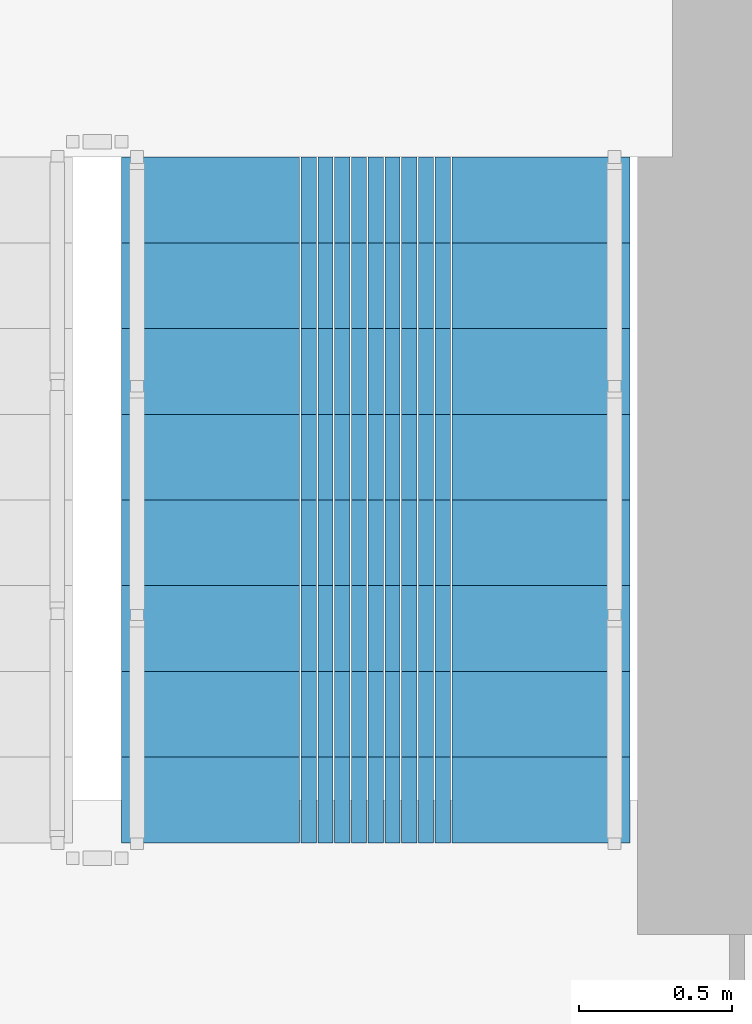
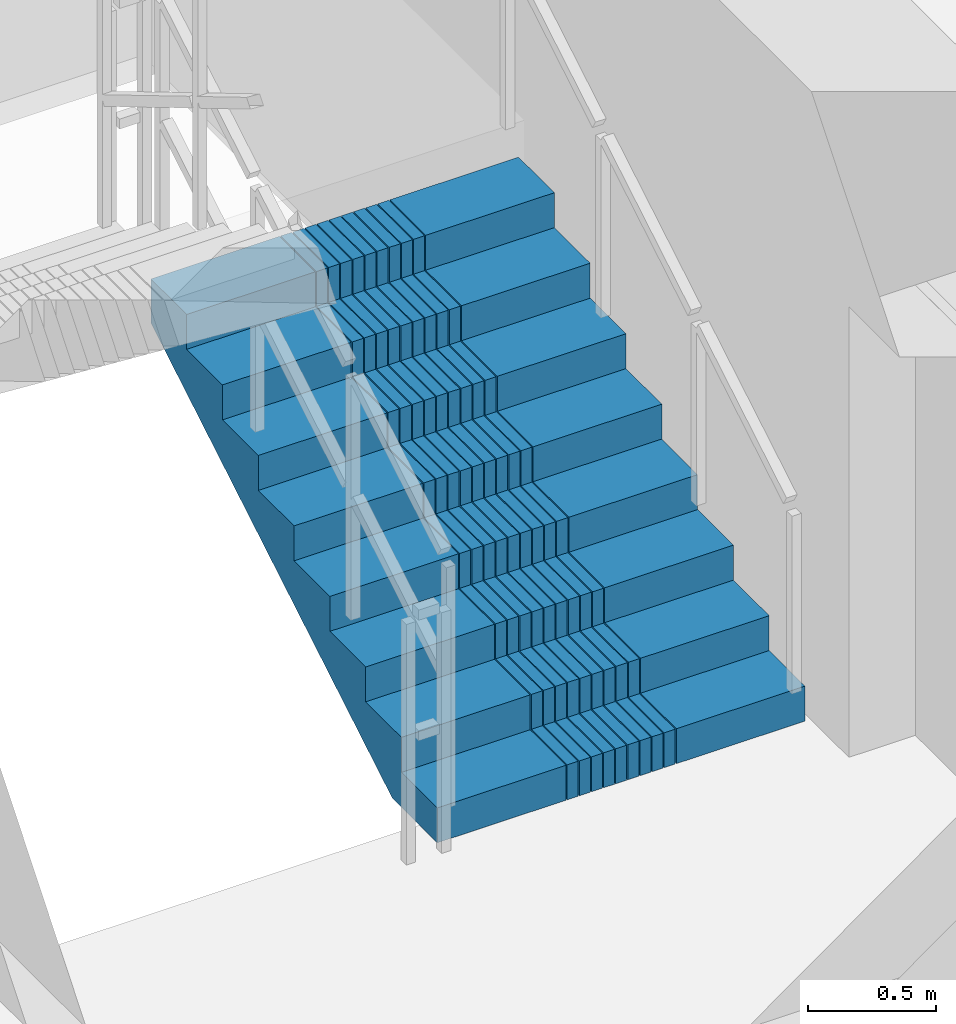
# One storey, part 10 of 16: 1 stair flight, 1 element without a shape of its own.
"""IFC4 building model written with IfcOpenShell, lengths in metres."""

from ifc_helpers import new_model, si_unit, direction, frame, origin, place, context, subcontext, project, spatial, polyline, outline, extrude, material, type_object, element, aggregate, save


model = new_model("IFC4")

# Units and contexts
model_context = context("Model", 3, precision=1e-05, world=origin(), true_north=direction((0.0, 1.0)))
body_context = subcontext(model_context, "Body", "Model", "MODEL_VIEW")
ifc_project = project(units=[si_unit("LENGTHUNIT", "METRE"), si_unit("AREAUNIT", "SQUARE_METRE"), si_unit("VOLUMEUNIT", "CUBIC_METRE"), si_unit("PLANEANGLEUNIT", "RADIAN"), si_unit("MASSUNIT", "GRAM", prefix="KILO")], contexts=[model_context])

# Site, building, storey
site_placement = place(None, origin())
site = spatial("IfcSite", under=ifc_project, at=site_placement, CompositionType="ELEMENT")
building_placement = place(site_placement, origin())
building = spatial("IfcBuilding", under=site, at=building_placement, Name="Saelheon Loggia Tower", CompositionType="ELEMENT")
storey_placement = place(building_placement, frame((0.0, 0.0, 28.39990234375)))
storey = spatial("IfcBuildingStorey", under=building, at=storey_placement, Name="L08", CompositionType="ELEMENT", Elevation=28.39990234375)

# Stair, stair flight
ifc_material = material(Name="Concrete C40/50", Category="concrete")
stair_type = type_object("IfcStairType", Name="Stair_Escape_Core", PredefinedType="HALF_TURN_STAIR", material=ifc_material)
stair_placement = place(storey_placement, origin())
stair = element("IfcStair", 1, at=stair_placement, inside=storey, type_object=stair_type, Name="L08 Special Escape Stair ST2", PredefinedType="HALF_TURN_STAIR")
stair_flight_type = type_object("IfcStairFlightType", Name="StairFlight_Tower_1660", PredefinedType="STRAIGHT", material=ifc_material)
stair_flight_placement = place(storey_placement, frame((43.320068359375, 30.449951171875, 0.0), z_axis=(0.0, 0.0, 1.0), x_axis=(0.0, 1.0, 0.0)))
stair_flight = element("IfcStairFlight", 2, at=stair_flight_placement, type_object=stair_flight_type, Name="ST2 flight 1", NumberOfRisers=9, NumberOfTreads=8, PredefinedType="STRAIGHT", RiserHeight=0.166666667, TreadLength=0.28, context=body_context, shape_type="SweptSolid", body=[
    extrude(outline(polyline([(0.0, 0.0), (0.0, 0.166748046875), (0.280029296875, 0.166748046875), (0.280029296875, 0.333251953125), (0.56005859375, 0.333251953125), (0.56005859375, 0.5), (0.840087890625, 0.5), (0.840087890625, 0.666748046875), (1.1201171875, 0.666748046875), (1.1201171875, 0.833251953125), (1.39990234375, 0.833251953125), (1.39990234375, 1.0), (1.679931640625, 1.0), (1.679931640625, 1.166748046875), (1.9599609375, 1.166748046875), (1.9599609375, 1.333251953125), (2.239990234375, 1.333251953125), (2.239990234375, 1.5), (2.239990234375, 1.1240234375), (0.351806640625, 0.0), (0.0, 0.0)])), frame((0.0, -0.2490234375, 0.0), z_axis=(0.0, -1.0, 0.0), x_axis=(1.0, 0.0, 0.0)), (0.0, 0.0, 1.0), 0.5810546875),
    extrude(outline(polyline([(0.0, 0.0), (0.0, 0.166748046875), (0.280029296875, 0.166748046875), (0.280029296875, 0.333251953125), (0.56005859375, 0.333251953125), (0.56005859375, 0.5), (0.840087890625, 0.5), (0.840087890625, 0.666748046875), (1.1201171875, 0.666748046875), (1.1201171875, 0.833251953125), (1.39990234375, 0.833251953125), (1.39990234375, 1.0), (1.679931640625, 1.0), (1.679931640625, 1.166748046875), (1.9599609375, 1.166748046875), (1.9599609375, 1.333251953125), (2.239990234375, 1.333251953125), (2.239990234375, 1.5), (2.239990234375, 1.1240234375), (0.351806640625, 0.0), (0.0, 0.0)])), frame((0.0, -0.194091796875, 0.0), z_axis=(0.0, -1.0, 0.0), x_axis=(1.0, 0.0, 0.0)), (0.0, 0.0, 1.0), 0.0498046875),
    extrude(outline(polyline([(0.0, 0.0), (0.0, 0.166748046875), (0.280029296875, 0.166748046875), (0.280029296875, 0.333251953125), (0.56005859375, 0.333251953125), (0.56005859375, 0.5), (0.840087890625, 0.5), (0.840087890625, 0.666748046875), (1.1201171875, 0.666748046875), (1.1201171875, 0.833251953125), (1.39990234375, 0.833251953125), (1.39990234375, 1.0), (1.679931640625, 1.0), (1.679931640625, 1.166748046875), (1.9599609375, 1.166748046875), (1.9599609375, 1.333251953125), (2.239990234375, 1.333251953125), (2.239990234375, 1.5), (2.239990234375, 1.1240234375), (0.351806640625, 0.0), (0.0, 0.0)])), frame((0.0, -0.139404296875, 0.0), z_axis=(0.0, -1.0, 0.0), x_axis=(1.0, 0.0, 0.0)), (0.0, 0.0, 1.0), 0.0498046875),
    extrude(outline(polyline([(0.0, 0.0), (0.0, 0.166748046875), (0.280029296875, 0.166748046875), (0.280029296875, 0.333251953125), (0.56005859375, 0.333251953125), (0.56005859375, 0.5), (0.840087890625, 0.5), (0.840087890625, 0.666748046875), (1.1201171875, 0.666748046875), (1.1201171875, 0.833251953125), (1.39990234375, 0.833251953125), (1.39990234375, 1.0), (1.679931640625, 1.0), (1.679931640625, 1.166748046875), (1.9599609375, 1.166748046875), (1.9599609375, 1.333251953125), (2.239990234375, 1.333251953125), (2.239990234375, 1.5), (2.239990234375, 1.1240234375), (0.351806640625, 0.0), (0.0, 0.0)])), frame((0.0, -0.084716796875, 0.0), z_axis=(0.0, -1.0, 0.0), x_axis=(1.0, 0.0, 0.0)), (0.0, 0.0, 1.0), 0.0498046875),
    extrude(outline(polyline([(0.0, 0.0), (0.0, 0.166748046875), (0.280029296875, 0.166748046875), (0.280029296875, 0.333251953125), (0.56005859375, 0.333251953125), (0.56005859375, 0.5), (0.840087890625, 0.5), (0.840087890625, 0.666748046875), (1.1201171875, 0.666748046875), (1.1201171875, 0.833251953125), (1.39990234375, 0.833251953125), (1.39990234375, 1.0), (1.679931640625, 1.0), (1.679931640625, 1.166748046875), (1.9599609375, 1.166748046875), (1.9599609375, 1.333251953125), (2.239990234375, 1.333251953125), (2.239990234375, 1.5), (2.239990234375, 1.1240234375), (0.351806640625, 0.0), (0.0, 0.0)])), frame((0.0, -0.02978515625, 0.0), z_axis=(0.0, -1.0, 0.0), x_axis=(1.0, 0.0, 0.0)), (0.0, 0.0, 1.0), 0.0498046875),
    extrude(outline(polyline([(0.0, 0.0), (0.0, 0.166748046875), (0.280029296875, 0.166748046875), (0.280029296875, 0.333251953125), (0.56005859375, 0.333251953125), (0.56005859375, 0.5), (0.840087890625, 0.5), (0.840087890625, 0.666748046875), (1.1201171875, 0.666748046875), (1.1201171875, 0.833251953125), (1.39990234375, 0.833251953125), (1.39990234375, 1.0), (1.679931640625, 1.0), (1.679931640625, 1.166748046875), (1.9599609375, 1.166748046875), (1.9599609375, 1.333251953125), (2.239990234375, 1.333251953125), (2.239990234375, 1.5), (2.239990234375, 1.1240234375), (0.351806640625, 0.0), (0.0, 0.0)])), frame((0.0, 0.02490234375, 0.0), z_axis=(0.0, -1.0, 0.0), x_axis=(1.0, 0.0, 0.0)), (0.0, 0.0, 1.0), 0.0498046875),
    extrude(outline(polyline([(0.0, 0.0), (0.0, 0.166748046875), (0.280029296875, 0.166748046875), (0.280029296875, 0.333251953125), (0.56005859375, 0.333251953125), (0.56005859375, 0.5), (0.840087890625, 0.5), (0.840087890625, 0.666748046875), (1.1201171875, 0.666748046875), (1.1201171875, 0.833251953125), (1.39990234375, 0.833251953125), (1.39990234375, 1.0), (1.679931640625, 1.0), (1.679931640625, 1.166748046875), (1.9599609375, 1.166748046875), (1.9599609375, 1.333251953125), (2.239990234375, 1.333251953125), (2.239990234375, 1.5), (2.239990234375, 1.1240234375), (0.351806640625, 0.0), (0.0, 0.0)])), frame((0.0, 0.07958984375, 0.0), z_axis=(0.0, -1.0, 0.0), x_axis=(1.0, 0.0, 0.0)), (0.0, 0.0, 1.0), 0.0498046875),
    extrude(outline(polyline([(0.0, 0.0), (0.0, 0.166748046875), (0.280029296875, 0.166748046875), (0.280029296875, 0.333251953125), (0.56005859375, 0.333251953125), (0.56005859375, 0.5), (0.840087890625, 0.5), (0.840087890625, 0.666748046875), (1.1201171875, 0.666748046875), (1.1201171875, 0.833251953125), (1.39990234375, 0.833251953125), (1.39990234375, 1.0), (1.679931640625, 1.0), (1.679931640625, 1.166748046875), (1.9599609375, 1.166748046875), (1.9599609375, 1.333251953125), (2.239990234375, 1.333251953125), (2.239990234375, 1.5), (2.239990234375, 1.1240234375), (0.351806640625, 0.0), (0.0, 0.0)])), frame((0.0, 0.134521484375, 0.0), z_axis=(0.0, -1.0, 0.0), x_axis=(1.0, 0.0, 0.0)), (0.0, 0.0, 1.0), 0.0498046875),
    extrude(outline(polyline([(0.0, 0.0), (0.0, 0.166748046875), (0.280029296875, 0.166748046875), (0.280029296875, 0.333251953125), (0.56005859375, 0.333251953125), (0.56005859375, 0.5), (0.840087890625, 0.5), (0.840087890625, 0.666748046875), (1.1201171875, 0.666748046875), (1.1201171875, 0.833251953125), (1.39990234375, 0.833251953125), (1.39990234375, 1.0), (1.679931640625, 1.0), (1.679931640625, 1.166748046875), (1.9599609375, 1.166748046875), (1.9599609375, 1.333251953125), (2.239990234375, 1.333251953125), (2.239990234375, 1.5), (2.239990234375, 1.1240234375), (0.351806640625, 0.0), (0.0, 0.0)])), frame((0.0, 0.189208984375, 0.0), z_axis=(0.0, -1.0, 0.0), x_axis=(1.0, 0.0, 0.0)), (0.0, 0.0, 1.0), 0.0498046875),
    extrude(outline(polyline([(0.0, 0.0), (0.0, 0.166748046875), (0.280029296875, 0.166748046875), (0.280029296875, 0.333251953125), (0.56005859375, 0.333251953125), (0.56005859375, 0.5), (0.840087890625, 0.5), (0.840087890625, 0.666748046875), (1.1201171875, 0.666748046875), (1.1201171875, 0.833251953125), (1.39990234375, 0.833251953125), (1.39990234375, 1.0), (1.679931640625, 1.0), (1.679931640625, 1.166748046875), (1.9599609375, 1.166748046875), (1.9599609375, 1.333251953125), (2.239990234375, 1.333251953125), (2.239990234375, 1.5), (2.239990234375, 1.1240234375), (0.351806640625, 0.0), (0.0, 0.0)])), frame((0.0, 0.243896484375, 0.0), z_axis=(0.0, -1.0, 0.0), x_axis=(1.0, 0.0, 0.0)), (0.0, 0.0, 1.0), 0.0498046875),
    extrude(outline(polyline([(0.0, 0.0), (0.0, 0.166748046875), (0.280029296875, 0.166748046875), (0.280029296875, 0.333251953125), (0.56005859375, 0.333251953125), (0.56005859375, 0.5), (0.840087890625, 0.5), (0.840087890625, 0.666748046875), (1.1201171875, 0.666748046875), (1.1201171875, 0.833251953125), (1.39990234375, 0.833251953125), (1.39990234375, 1.0), (1.679931640625, 1.0), (1.679931640625, 1.166748046875), (1.9599609375, 1.166748046875), (1.9599609375, 1.333251953125), (2.239990234375, 1.333251953125), (2.239990234375, 1.5), (2.239990234375, 1.1240234375), (0.351806640625, 0.0), (0.0, 0.0)])), frame((0.0, 0.830078125, 0.0), z_axis=(0.0, -1.0, 0.0), x_axis=(1.0, 0.0, 0.0)), (0.0, 0.0, 1.0), 0.5810546875),
])
aggregate(stair, [stair_flight])

save(model, "model.ifc")
